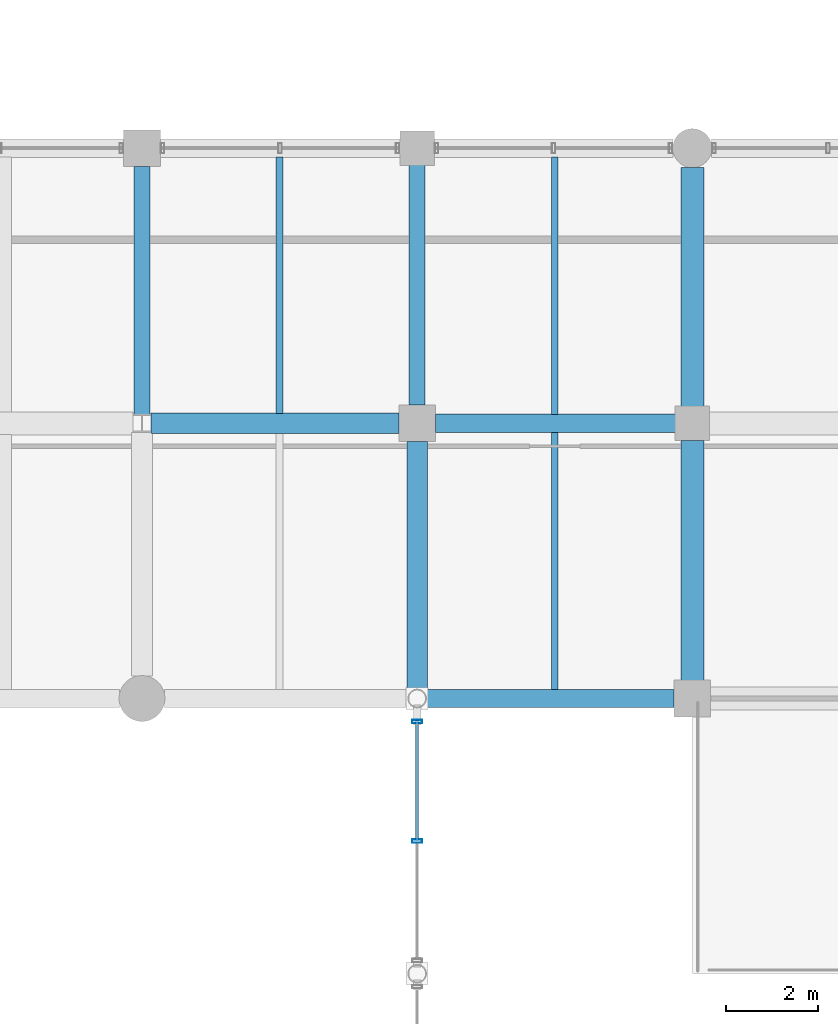
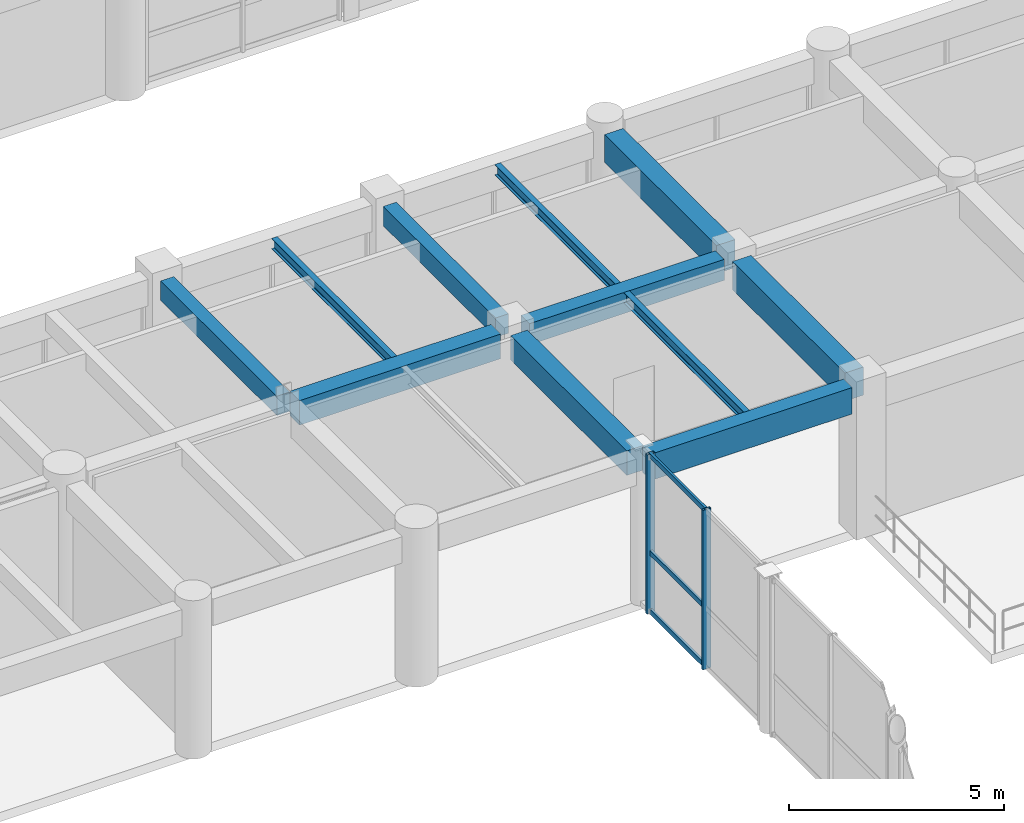
# One storey, part 40 of 133: 11 beams, 5 members, 1 element without a shape of its own.
"""IFC4 building model written with IfcOpenShell, lengths in metres."""

from ifc_helpers import new_model, si_unit, direction, frame, origin, origin_2d, place, context, subcontext, project, spatial, rectangle, hollow_rectangle, i_section, extrude, material, material_profile, profile_set, type_object, element, aggregate, save


model = new_model("IFC4")

# Units and contexts
model_context = context("Model", 3, precision=1e-05, world=origin(), true_north=direction((0.0, 1.0)))
body_context = subcontext(model_context, "Body", "Model", "MODEL_VIEW")
ifc_project = project(units=[si_unit("LENGTHUNIT", "METRE"), si_unit("AREAUNIT", "SQUARE_METRE"), si_unit("VOLUMEUNIT", "CUBIC_METRE"), si_unit("PLANEANGLEUNIT", "RADIAN"), si_unit("MASSUNIT", "GRAM", prefix="KILO"), si_unit("THERMODYNAMICTEMPERATUREUNIT", "KELVIN"), si_unit("POWERUNIT", "WATT")], contexts=[model_context])

# Site, building, storey
site_placement = place(None, origin())
site = spatial("IfcSite", under=ifc_project, at=site_placement, CompositionType="ELEMENT")
building_placement = place(site_placement, origin())
building = spatial("IfcBuilding", under=site, at=building_placement, Name="Phaisarnlok Congress Hotel", CompositionType="ELEMENT")
storey_placement = place(building_placement, frame((0.0, 0.0, 6.0)))
storey = spatial("IfcBuildingStorey", under=building, at=storey_placement, Name="L01", CompositionType="ELEMENT", Elevation=6.0)

# Beams
ifc_material_1 = material(Name="Concrete C40/50", Category="concrete")
ifc_material_profile_1 = material_profile(ifc_material_1, rectangle(XDim=0.35009765625, YDim=0.550048828125, at=origin_2d()), Name="RC 350x550")
ifc_profile_set_1 = profile_set([ifc_material_profile_1], Name="Concrete C40/50")
beam_type_1 = type_object("IfcBeamType", Name="BM-RC-350x550", PredefinedType="BEAM", material=ifc_profile_set_1)
beam_1_placement = place(storey_placement, frame((114.0, 90.194580078125, 3.945068359375), z_axis=(0.0, 1.0, 0.0), x_axis=(-1.0, 0.0, 0.0)))
element("IfcBeam", 1, at=beam_1_placement, inside=storey, type_object=beam_type_1, Name="Beam B-01", PredefinedType="BEAM", context=body_context, shape_type="SweptSolid", body=[
    extrude(rectangle(XDim=0.35009765625, YDim=0.550048828125, at=origin_2d()), origin(), (0.0, 0.0, 1.0), 5.410400390625),
])
beam_2_placement = place(storey_placement, frame((120.0, 90.39501953125, 3.945068359375), z_axis=(0.0, 1.0, 0.0), x_axis=(-1.0, 0.0, 0.0)))
element("IfcBeam", 2, at=beam_2_placement, inside=storey, type_object=beam_type_1, Name="Beam B-01", PredefinedType="BEAM", context=body_context, shape_type="SweptSolid", body=[
    extrude(rectangle(XDim=0.35009765625, YDim=0.550048828125, at=origin_2d()), origin(), (0.0, 0.0, 1.0), 5.23486328125),
])
ifc_material_profile_2 = material_profile(ifc_material_1, rectangle(XDim=0.39990234375, YDim=0.60009765625, at=origin_2d()), Name="RC 400x600")
ifc_profile_set_2 = profile_set([ifc_material_profile_2], Name="Concrete C40/50")
beam_type_2 = type_object("IfcBeamType", Name="BM-RC-400x600", PredefinedType="BEAM", material=ifc_profile_set_2)
beam_3_placement = place(storey_placement, frame((120.39501953125, 90.0, 3.919921875), z_axis=(1.0, 0.0, 0.0), x_axis=(0.0, 1.0, 0.0)))
element("IfcBeam", 3, at=beam_3_placement, inside=storey, type_object=beam_type_2, Name="Beam B-02", PredefinedType="BEAM", context=body_context, shape_type="SweptSolid", body=[
    extrude(rectangle(XDim=0.39990234375, YDim=0.60009765625, at=origin_2d()), origin(), (0.0, 0.0, 1.0), 5.23486328125),
])
ifc_material_profile_3 = material_profile(ifc_material_1, rectangle(XDim=0.449951171875, YDim=0.699951171875, at=origin_2d()), Name="RC 450x700")
ifc_profile_set_3 = profile_set([ifc_material_profile_3], Name="Concrete C40/50")
beam_type_3 = type_object("IfcBeamType", Name="BM-RC-450x700", PredefinedType="BEAM", material=ifc_profile_set_3)
beam_4_placement = place(storey_placement, frame((114.195556640625, 90.0, 3.8701171875), z_axis=(1.0, 0.0, 0.0), x_axis=(0.0, 1.0, 0.0)))
element("IfcBeam", 4, at=beam_4_placement, inside=storey, type_object=beam_type_3, Name="Beam B-03", PredefinedType="BEAM", context=body_context, shape_type="SweptSolid", body=[
    extrude(rectangle(XDim=0.449951171875, YDim=0.699951171875, at=origin_2d()), origin(), (0.0, 0.0, 1.0), 5.409423828125),
])
beam_5_placement = place(storey_placement, frame((120.0, 84.1982421875, 3.8701171875), z_axis=(0.0, 1.0, 0.0), x_axis=(-1.0, 0.0, 0.0)))
element("IfcBeam", 5, at=beam_5_placement, inside=storey, type_object=beam_type_3, Name="Beam B-03", PredefinedType="BEAM", context=body_context, shape_type="SweptSolid", body=[
    extrude(rectangle(XDim=0.449951171875, YDim=0.699951171875, at=origin_2d()), origin(), (0.0, 0.0, 1.0), 5.40673828125),
])
ifc_material_profile_4 = material_profile(ifc_material_1, rectangle(XDim=0.5, YDim=0.800048828125, at=origin_2d()), Name="RC 500x800")
ifc_profile_set_4 = profile_set([ifc_material_profile_4], Name="Concrete C40/50")
beam_type_4 = type_object("IfcBeamType", Name="BM-RC-500x800", PredefinedType="BEAM", material=ifc_profile_set_4)
beam_6_placement = place(storey_placement, frame((126.0, 84.39501953125, 3.820068359375), z_axis=(0.0, 1.0, 0.0), x_axis=(-1.0, 0.0, 0.0)))
element("IfcBeam", 6, at=beam_6_placement, inside=storey, type_object=beam_type_4, Name="Beam B-04", PredefinedType="BEAM", context=body_context, shape_type="SweptSolid", body=[
    extrude(rectangle(XDim=0.5, YDim=0.800048828125, at=origin_2d()), origin(), (0.0, 0.0, 1.0), 5.23486328125),
])
beam_7_placement = place(storey_placement, frame((126.0, 90.3701171875, 3.820068359375), z_axis=(0.0, 1.0, 0.0), x_axis=(-1.0, 0.0, 0.0)))
element("IfcBeam", 7, at=beam_7_placement, inside=storey, type_object=beam_type_4, Name="Beam B-04", PredefinedType="BEAM", context=body_context, shape_type="SweptSolid", body=[
    extrude(rectangle(XDim=0.5, YDim=0.800048828125, at=origin_2d()), origin(), (0.0, 0.0, 1.0), 5.2099609375),
])

# Curtain wall, members
ifc_material_2 = material(Name="Thermally Broken Unitised Aluminium & Low-E Glazing", Category="aluminium")
curtain_wall_type = type_object("IfcCurtainWallType", Name="CW-UNIT-40", PredefinedType="NOTDEFINED", material=ifc_material_2)
curtain_wall_placement = place(storey_placement, origin())
curtain_wall = element("IfcCurtainWall", 8, at=curtain_wall_placement, inside=storey, type_object=curtain_wall_type, Name="Unitised curtain wall CW-40 (L01)", PredefinedType="NOTDEFINED")
ifc_material_3 = material(Name="Anodised Aluminium Alloy 6063-T6", Category="aluminium")
ifc_material_profile_5 = material_profile(ifc_material_3, hollow_rectangle(XDim=0.074951171875, YDim=0.219970703125, WallThickness=0.0048828125, at=origin_2d()), Name="ALU-M 75x220x5")
ifc_profile_set_5 = profile_set([ifc_material_profile_5], Name="Anodised Aluminium Alloy 6063-T6")
member_type_1 = type_object("IfcMemberType", Name="CWM-220", PredefinedType="MULLION", material=ifc_profile_set_5)
member_1_placement = place(storey_placement, frame((120.0, 83.4951171875, -0.02001953125), z_axis=(0.0, 0.0, 1.0), x_axis=(0.0, -1.0, 0.0)))
member_1 = element("IfcMember", 9, at=member_1_placement, type_object=member_type_1, Name="Curtain wall mullion CWM-02", PredefinedType="MULLION", context=body_context, shape_type="SweptSolid", body=[
    extrude(hollow_rectangle(XDim=0.074951171875, YDim=0.219970703125, WallThickness=0.0048828125, at=origin_2d()), origin(), (0.0, 0.0, 1.0), 4.530029296875),
])
member_2_placement = place(storey_placement, frame((120.0, 80.889892578125, -0.02001953125), z_axis=(0.0, 0.0, 1.0), x_axis=(0.0, -1.0, 0.0)))
member_2 = element("IfcMember", 10, at=member_2_placement, type_object=member_type_1, Name="Curtain wall mullion CWM-02", PredefinedType="MULLION", context=body_context, shape_type="SweptSolid", body=[
    extrude(hollow_rectangle(XDim=0.074951171875, YDim=0.219970703125, WallThickness=0.0048828125, at=origin_2d()), origin(), (0.0, 0.0, 1.0), 4.530029296875),
])
ifc_material_profile_6 = material_profile(ifc_material_3, hollow_rectangle(XDim=0.06494140625, YDim=0.139892578125, WallThickness=0.00390625, at=origin_2d()), Name="ALU-T 65x140x4")
ifc_profile_set_6 = profile_set([ifc_material_profile_6], Name="Anodised Aluminium Alloy 6063-T6")
member_type_2 = type_object("IfcMemberType", Name="CWT-150", PredefinedType="USERDEFINED", material=ifc_profile_set_6)
member_3_placement = place(storey_placement, frame((120.0, 83.52001953125, 0.030029296875), z_axis=(0.0, -1.0, 0.0), x_axis=(1.0, 0.0, 0.0)))
member_3 = element("IfcMember", 11, at=member_3_placement, type_object=member_type_2, Name="Curtain wall transom CWT-01", ObjectType="TRANSOM", PredefinedType="USERDEFINED", context=body_context, shape_type="SweptSolid", body=[
    extrude(hollow_rectangle(XDim=0.06494140625, YDim=0.139892578125, WallThickness=0.00390625, at=origin_2d()), origin(), (0.0, 0.0, 1.0), 2.614990234375),
])
member_4_placement = place(storey_placement, frame((120.0, 83.52001953125, 1.701416015625), z_axis=(0.0, -1.0, 0.0), x_axis=(1.0, 0.0, 0.0)))
member_4 = element("IfcMember", 12, at=member_4_placement, type_object=member_type_2, Name="Curtain wall transom CWT-01", ObjectType="TRANSOM", PredefinedType="USERDEFINED", context=body_context, shape_type="SweptSolid", body=[
    extrude(hollow_rectangle(XDim=0.06494140625, YDim=0.139892578125, WallThickness=0.00390625, at=origin_2d()), origin(), (0.0, 0.0, 1.0), 2.614990234375),
])
member_5_placement = place(storey_placement, frame((120.0, 83.52001953125, 4.4599609375), z_axis=(0.0, -1.0, 0.0), x_axis=(1.0, 0.0, 0.0)))
member_5 = element("IfcMember", 13, at=member_5_placement, type_object=member_type_2, Name="Curtain wall transom CWT-01", ObjectType="TRANSOM", PredefinedType="USERDEFINED", context=body_context, shape_type="SweptSolid", body=[
    extrude(hollow_rectangle(XDim=0.06494140625, YDim=0.139892578125, WallThickness=0.00390625, at=origin_2d()), origin(), (0.0, 0.0, 1.0), 2.614990234375),
])
aggregate(curtain_wall, [member_1, member_2, member_3, member_4, member_5])

# Beams
ifc_material_4 = material(Name="Steel S355", Category="steel")
ifc_material_profile_7 = material_profile(ifc_material_4, i_section(OverallWidth=0.14990234375, OverallDepth=0.300048828125, WebThickness=0.007080078125, FlangeThickness=0.0107421875, FilletRadius=0.014892578125, at=origin_2d()), Name="IPE 300")
ifc_profile_set_7 = profile_set([ifc_material_profile_7], Name="Steel S355")
beam_type_5 = type_object("IfcBeamType", Name="JS-STL-IPE300", PredefinedType="JOIST", material=ifc_profile_set_7)
beam_8_placement = place(storey_placement, frame((117.0, 90.219970703125, 4.070068359375), z_axis=(0.0, 1.0, 0.0), x_axis=(-1.0, 0.0, 0.0)))
element("IfcBeam", 14, at=beam_8_placement, inside=storey, type_object=beam_type_5, Name="Secondary floor joist J-03", PredefinedType="JOIST", context=body_context, shape_type="SweptSolid", body=[
    extrude(i_section(OverallWidth=0.14990234375, OverallDepth=0.300048828125, WebThickness=0.007080078125, FlangeThickness=0.0107421875, FilletRadius=0.014892578125, at=origin_2d()), origin(), (0.0, 0.0, 1.0), 5.5849609375),
])
for number, where, z_axis, x_axis, name in (
    (15, (123.0, 84.195068359375, 4.070068359375), (0.0, 1.0, 0.0), (-1.0, 0.0, 0.0), "Secondary floor joist J-03"),
    (16, (123.0, 90.195068359375, 4.070068359375), (0.0, 1.0, 0.0), (-1.0, 0.0, 0.0), "Secondary floor joist J-03"),
):
    element("IfcBeam", number, at=place(storey_placement, frame(where, z_axis=z_axis, x_axis=x_axis)), inside=storey, type_object=beam_type_5, Name=name, PredefinedType="JOIST", context=body_context, shape_type="SweptSolid", body=[
        extrude(i_section(OverallWidth=0.14990234375, OverallDepth=0.300048828125, WebThickness=0.007080078125, FlangeThickness=0.0107421875, FilletRadius=0.014892578125, at=origin_2d()), origin(), (0.0, 0.0, 1.0), 5.60986328125),
    ])
ifc_material_profile_8 = material_profile(ifc_material_1, rectangle(XDim=0.39990234375, YDim=0.75, at=origin_2d()), Name="RC 400x750")
ifc_profile_set_8 = profile_set([ifc_material_profile_8], Name="Concrete C40/50")
beam_type_6 = type_object("IfcBeamType", Name="SP-RC-400x750", PredefinedType="SPANDREL", material=ifc_profile_set_8)
beam_9_placement = place(storey_placement, frame((120.1982421875, 84.0, 3.844970703125), z_axis=(1.0, 0.0, 0.0), x_axis=(0.0, 1.0, 0.0)))
element("IfcBeam", 17, at=beam_9_placement, inside=storey, type_object=beam_type_6, Name="Beam SP-02", PredefinedType="SPANDREL", context=body_context, shape_type="SweptSolid", body=[
    extrude(rectangle(XDim=0.39990234375, YDim=0.75, at=origin_2d()), origin(), (0.0, 0.0, 1.0), 5.40673828125),
])

save(model, "model.ifc")
